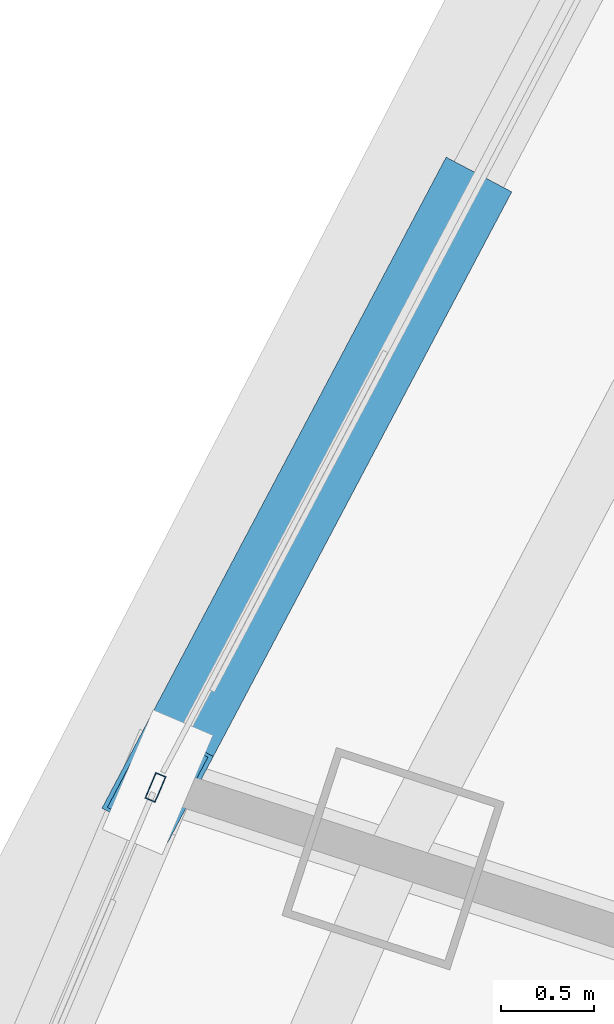
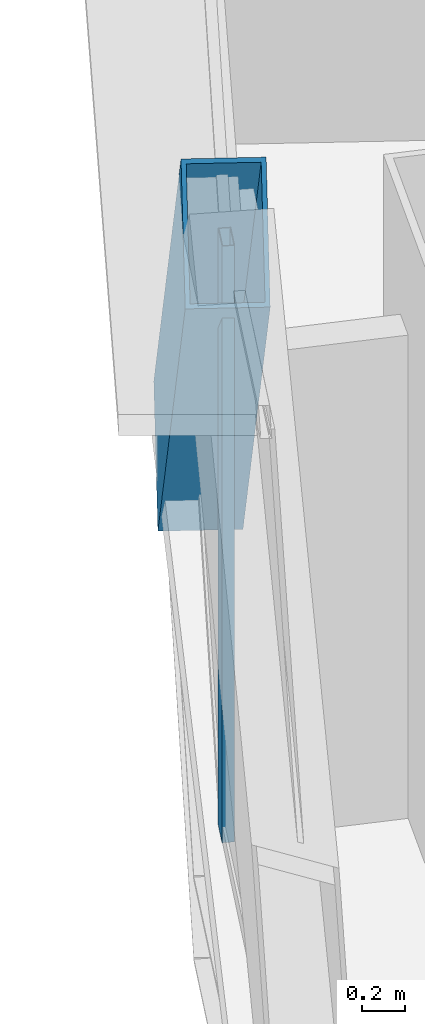
# One storey, part 8 of 41: 2 members, 1 element without a shape of its own.
"""IFC4 building model written with IfcOpenShell, lengths in metres."""

import ifcopenshell
import ifcopenshell.guid

model = None  # the IFC model being written
_history = None  # IfcOwnerHistory: only IFC2X3 demands one
_inside = {}  # id of a spatial element -> (the spatial element, [elements in it])
_under = {}  # id of a project, library or spatial element -> (it, [spatial elements below it])
_declared = {}  # id of a project -> (the project, [libraries it declares])
_typed = {}  # id of a type object -> (the type object, [elements of that type])
_made_of = {}  # id of a material, layer set ... -> (it, [elements and type objects made of it])


def new_model(schema):
    """Start an empty IFC model of exactly this schema.

    Asked for "IFC4X3", IfcOpenShell would pick the latest addendum, in which some entities
    have other attributes; the version numbers below select the first issue.
    IFC2X3 requires an IfcOwnerHistory on every rooted entity: one is made here for all.
    """
    global model, _history
    if schema == "IFC4X3":
        model = ifcopenshell.file(schema_version=(4, 3, 0, 0))
    else:
        model = ifcopenshell.file(schema=schema)
    _inside.clear()
    _under.clear()
    _declared.clear()
    _typed.clear()
    _made_of.clear()
    _history = None
    if model.schema == "IFC2X3":
        org = make("IfcOrganization", Name="unknown")
        user = make(
            "IfcPersonAndOrganization",
            ThePerson=make("IfcPerson", FamilyName="unknown"),
            TheOrganization=org,
        )
        app = make(
            "IfcApplication",
            ApplicationDeveloper=org,
            Version="unknown",
            ApplicationFullName="unknown",
            ApplicationIdentifier="unknown",
        )
        _history = make(
            "IfcOwnerHistory",
            OwningUser=user,
            OwningApplication=app,
            ChangeAction="ADDED",
            CreationDate=0,
        )
    return model


def make(cls, **values):
    """One entity of the class cls with the attributes given. An attribute that is None is left unset."""
    return model.create_entity(
        cls, **{name: value for name, value in values.items() if value is not None}
    )


def rooted(cls, **values):
    """An entity with a GlobalId (a new one), such as an element, a storey or a relation."""
    return make(cls, GlobalId=ifcopenshell.guid.new(), OwnerHistory=_history, **values)


def si_unit(unit_type, name, prefix=None):
    """IfcSIUnit, for example si_unit("LENGTHUNIT", "METRE", prefix="MILLI")."""
    return make("IfcSIUnit", UnitType=unit_type, Prefix=prefix, Name=name)


def assignment(units):
    """IfcUnitAssignment: the units of a project."""
    return None if units is None else make("IfcUnitAssignment", Units=units)


def point(xyz):
    """IfcCartesianPoint."""
    return None if xyz is None else make("IfcCartesianPoint", Coordinates=xyz)


def direction(xyz):
    """IfcDirection."""
    return None if xyz is None else make("IfcDirection", DirectionRatios=xyz)


def frame(location, z_axis=None, x_axis=None):
    """IfcAxis2Placement3D, a coordinate frame: its origin and axes. An axis left out is left unset."""
    return make(
        "IfcAxis2Placement3D",
        Location=point(location),
        Axis=direction(z_axis),
        RefDirection=direction(x_axis),
    )


def frame_2d(location, x_axis=None):
    """IfcAxis2Placement2D, a coordinate frame in the plane: its origin and x axis."""
    return make(
        "IfcAxis2Placement2D", Location=point(location), RefDirection=direction(x_axis)
    )


def origin():
    """The frame at (0, 0, 0) with its axes left unset."""
    return frame((0.0, 0.0, 0.0))


def origin_2d():
    """The frame at (0, 0) in the plane with its x axis left unset."""
    return frame_2d((0.0, 0.0))


def place(relative_to, where):
    """IfcLocalPlacement: puts the frame where relative to a parent placement (None: the world)."""
    return make(
        "IfcLocalPlacement", PlacementRelTo=relative_to, RelativePlacement=where
    )


def context(
    kind, dimensions, precision=None, world=None, true_north=None, identifier=None
):
    """IfcGeometricRepresentationContext, for example the 3D "Model" context."""
    return make(
        "IfcGeometricRepresentationContext",
        ContextIdentifier=identifier,
        ContextType=kind,
        CoordinateSpaceDimension=dimensions,
        Precision=precision,
        WorldCoordinateSystem=world,
        TrueNorth=true_north,
    )


def subcontext(parent, identifier, kind, view, scale=None):
    """IfcGeometricRepresentationSubContext, for example "Body" below "Model"."""
    return make(
        "IfcGeometricRepresentationSubContext",
        ContextIdentifier=identifier,
        ContextType=kind,
        ParentContext=parent,
        TargetScale=scale,
        TargetView=view,
    )


def project(units=None, contexts=None):
    """IfcProject with its units and contexts."""
    return rooted(
        "IfcProject",
        Name="project",
        RepresentationContexts=contexts,
        UnitsInContext=assignment(units),
    )


def spatial(cls, under=None, at=None, **own):
    """A site, building, storey or space (cls), placed at a placement, below another one or the project."""
    s = rooted(cls, ObjectPlacement=at, **own)
    if under is not None:
        _under.setdefault(under.id(), (under, []))[1].append(s)
    return s


def profile(cls, at=None, kind="AREA", **sizes):
    """A parametric profile (cls). Its sizes go by their IFC names, for example OverallWidth=200.0."""
    return make(cls, ProfileType=kind, Position=at, **sizes)


def hollow_rectangle(**sizes):
    """IfcRectangleHollowProfileDef."""
    return profile("IfcRectangleHollowProfileDef", **sizes)


def extrude(swept, where, along, depth):
    """IfcExtrudedAreaSolid: the profile swept, set in the frame where, extruded along a direction by depth."""
    return make(
        "IfcExtrudedAreaSolid",
        SweptArea=swept,
        Position=where,
        ExtrudedDirection=direction(along),
        Depth=depth,
    )


def shape(context_of_items, identifier, shape_type, items):
    """IfcShapeRepresentation: the items that make up one representation, for example the "Body"."""
    return make(
        "IfcShapeRepresentation",
        ContextOfItems=context_of_items,
        RepresentationIdentifier=identifier,
        RepresentationType=shape_type,
        Items=items,
    )


def source(mapping_origin, context_of_items, identifier, shape_type, items):
    """IfcRepresentationMap: a shape defined once, which mapped items show again and again."""
    return make(
        "IfcRepresentationMap",
        MappingOrigin=mapping_origin,
        MappedRepresentation=shape(context_of_items, identifier, shape_type, items),
    )


def transform(
    local_origin,
    x_axis=None,
    y_axis=None,
    z_axis=None,
    scale=None,
    scale2=None,
    scale3=None,
    uniform=True,
):
    """IfcCartesianTransformationOperator3D, or its non-uniform kind. x_axis, y_axis, z_axis: its Axis1, 2, 3."""
    if uniform:
        return make(
            "IfcCartesianTransformationOperator3D",
            Axis1=direction(x_axis),
            Axis2=direction(y_axis),
            LocalOrigin=point(local_origin),
            Scale=scale,
            Axis3=direction(z_axis),
        )
    return make(
        "IfcCartesianTransformationOperator3DnonUniform",
        Axis1=direction(x_axis),
        Axis2=direction(y_axis),
        LocalOrigin=point(local_origin),
        Scale=scale,
        Axis3=direction(z_axis),
        Scale2=scale2,
        Scale3=scale3,
    )


def mapped(mapping_source, mapping_target):
    """IfcMappedItem: shows the shape of a source again, moved by a transform."""
    return make(
        "IfcMappedItem", MappingSource=mapping_source, MappingTarget=mapping_target
    )


def material(Name=None, Category=None):
    """IfcMaterial."""
    return make("IfcMaterial", Name=Name, Category=Category)


def layer(
    of_material, thickness, ventilated=None, Name=None, Category=None, Priority=None
):
    """IfcMaterialLayer: one layer of a wall or slab, of a material (None: an air gap)."""
    return make(
        "IfcMaterialLayer",
        Material=of_material,
        LayerThickness=thickness,
        IsVentilated=ventilated,
        Name=Name,
        Category=Category,
        Priority=Priority,
    )


def layer_set(layers, Name=None):
    """IfcMaterialLayerSet."""
    return make("IfcMaterialLayerSet", MaterialLayers=layers, LayerSetName=Name)


def material_profile(
    of_material, cross_section, Name=None, Category=None, Priority=None
):
    """IfcMaterialProfile: a cross section and its material."""
    return make(
        "IfcMaterialProfile",
        Name=Name,
        Material=of_material,
        Profile=cross_section,
        Priority=Priority,
        Category=Category,
    )


def profile_set(profiles, Name=None, composite=None):
    """IfcMaterialProfileSet."""
    return make(
        "IfcMaterialProfileSet",
        Name=Name,
        MaterialProfiles=profiles,
        CompositeProfile=composite,
    )


def made_of(thing, what):
    """Note that an element or type object is made of a material, layer set ...; save() writes the relation."""
    if what is not None:
        _made_of.setdefault(what.id(), (what, []))[1].append(thing)
    return thing


def type_object(cls, material=None, **own):
    """A type object (cls), such as IfcWallType, which elements share."""
    return made_of(rooted(cls, **own), material)


def element(
    cls,
    number,
    at=None,
    inside=None,
    cuts=None,
    type_object=None,
    material=None,
    context=None,
    identifier="Body",
    shape_type=None,
    held_by="IfcProductDefinitionShape",
    body=None,
    shapes=None,
    **own,
):
    """One element of the class cls, such as IfcWall. Its Tag is "e" and its number.

    at: its placement. inside: the storey or other place that contains it. cuts: it is an
    opening in that element (IfcRelVoidsElement). A single representation is given by context,
    identifier, shape_type and body (its items); several are given by shapes. held_by: the class
    of the entity that holds the representations. save() writes the other relations.
    """
    e = rooted(cls, Tag="e%d" % number, ObjectPlacement=at, **own)
    if body is not None:
        shapes = [shape(context, identifier, shape_type, body)]
    if shapes is not None:
        e.Representation = make(held_by, Representations=shapes)
    if inside is not None:
        _inside.setdefault(inside.id(), (inside, []))[1].append(e)
    if cuts is not None:
        rooted(
            "IfcRelVoidsElement", RelatingBuildingElement=cuts, RelatedOpeningElement=e
        )
    if type_object is not None:
        _typed.setdefault(type_object.id(), (type_object, []))[1].append(e)
    return made_of(e, material)


def aggregate(whole, parts):
    """IfcRelAggregates: a whole, such as a stair, and the parts it consists of."""
    return rooted("IfcRelAggregates", RelatingObject=whole, RelatedObjects=parts)


def save(model, path):
    """Write the relations noted so far, then the file.

    IfcRelAggregates (storeys below a building ...), IfcRelContainedInSpatialStructure (elements
    in a storey), IfcRelDefinesByType, IfcRelAssociatesMaterial and IfcRelDeclares: one each for
    every whole, place, type object, material and project.
    """
    for whole, parts in _under.values():
        aggregate(whole, parts)
    for where, things in _inside.values():
        rooted(
            "IfcRelContainedInSpatialStructure",
            RelatedElements=things,
            RelatingStructure=where,
        )
    for kind, things in _typed.values():
        rooted("IfcRelDefinesByType", RelatedObjects=things, RelatingType=kind)
    for what, things in _made_of.values():
        rooted("IfcRelAssociatesMaterial", RelatedObjects=things, RelatingMaterial=what)
    for by, libraries in _declared.values():
        rooted("IfcRelDeclares", RelatingContext=by, RelatedDefinitions=libraries)
    model.write(path)


model = new_model("IFC4")

# Units and contexts
model_context = context("Model", 3, precision=1e-05, world=origin(), true_north=direction((0.0, 1.0)))
body_context = subcontext(model_context, "Body", "Model", "MODEL_VIEW")
ifc_project = project(units=[si_unit("LENGTHUNIT", "METRE"), si_unit("AREAUNIT", "SQUARE_METRE"), si_unit("VOLUMEUNIT", "CUBIC_METRE"), si_unit("PLANEANGLEUNIT", "RADIAN"), si_unit("MASSUNIT", "GRAM", prefix="KILO"), si_unit("THERMODYNAMICTEMPERATUREUNIT", "KELVIN"), si_unit("POWERUNIT", "WATT")], contexts=[model_context])

# Site, building, storey
site_placement = place(None, origin())
site = spatial("IfcSite", under=ifc_project, at=site_placement, CompositionType="ELEMENT")
building_placement = place(site_placement, origin())
building = spatial("IfcBuilding", under=site, at=building_placement, Name="Yunzhuo Pagoda Commons", CompositionType="ELEMENT")
storey_placement = place(building_placement, frame((0.0, 0.0, 155.590087890625)))
storey = spatial("IfcBuildingStorey", under=building, at=storey_placement, Name="L39", CompositionType="ELEMENT", Elevation=155.590087890625)

# Member
ifc_material_1 = material(Name="Structural steel Q355B", Category="steel")
ifc_material_profile_1 = material_profile(ifc_material_1, hollow_rectangle(XDim=0.39990234375, YDim=0.719970703125, WallThickness=0.02392578125, at=origin_2d()), Name="Structural steel Q355B")
ifc_profile_set_1 = profile_set([ifc_material_profile_1], Name="Structural steel Q355B")
member_type_1 = type_object("IfcMemberType", Name="M-DL2 Brace BOX 720x400x24", PredefinedType="BRACE", material=ifc_profile_set_1)
shared_shape_1 = source(origin(), body_context, "Body", "SweptSolid", [
    extrude(hollow_rectangle(XDim=0.39990234375, YDim=0.719970703125, WallThickness=0.02392578125, at=origin_2d()), origin(), (0.0, 0.0, 1.0), 5.0361328125),
])
member_1_placement = place(storey_placement, frame((18.424072265625, 46.871337890625, -0.260009765625), z_axis=(-0.319078548014, -0.603544199753, 0.73070053999), x_axis=(0.884057218692, -0.467378683809, 0.0)))
element("IfcMember", 1, at=member_1_placement, inside=storey, type_object=member_type_1, Name="L39 facade diamond brace F3.2R", PredefinedType="BRACE", context=body_context, shape_type="MappedRepresentation", body=[
    mapped(shared_shape_1, transform((0.0, 0.0, 0.0), scale=1.0)),
])

# Curtain wall, member
ifc_material_2 = material(Name="Anodized aluminium 6063-T6", Category="aluminium")
ifc_layer = layer(ifc_material_2, 0.14990234375)
ifc_layer_set = layer_set([ifc_layer], Name="Anodized aluminium 6063-T6")
curtain_wall_type = type_object("IfcCurtainWallType", Name="CW-MID Mid-Zone Ribbon Curtain Wall", PredefinedType="NOTDEFINED", material=ifc_layer_set)
curtain_wall_placement = place(storey_placement, origin())
curtain_wall = element("IfcCurtainWall", 2, at=curtain_wall_placement, inside=storey, type_object=curtain_wall_type, Name="L39 curtain wall CW-L39-F3B4", PredefinedType="NOTDEFINED")
ifc_material_profile_2 = material_profile(ifc_material_2, hollow_rectangle(XDim=0.06005859375, YDim=0.14990234375, WallThickness=0.00390625, at=origin_2d()), Name="Anodized aluminium 6063-T6")
ifc_profile_set_2 = profile_set([ifc_material_profile_2], Name="Anodized aluminium 6063-T6")
member_type_2 = type_object("IfcMemberType", Name="CW-MID-M Mullion RHS 150x60x4", PredefinedType="MULLION", material=ifc_profile_set_2)
shared_shape_2 = source(origin(), body_context, "Body", "SweptSolid", [
    extrude(hollow_rectangle(XDim=0.06005859375, YDim=0.14990234375, WallThickness=0.00390625, at=origin_2d()), origin(), (0.0, 0.0, 1.0), 3.419921875),
])
member_2_placement = place(storey_placement, frame((16.805419921875, 43.80419921875, 0.0), z_axis=(0.0, 0.0, 1.0), x_axis=(0.92021678471, -0.391409081572, 0.0)))
member_2 = element("IfcMember", 3, at=member_2_placement, type_object=member_type_2, Name="CW mullion 1", PredefinedType="MULLION", context=body_context, shape_type="MappedRepresentation", body=[
    mapped(shared_shape_2, transform((0.0, 0.0, 0.0), scale=1.0)),
])
aggregate(curtain_wall, [member_2])

save(model, "model.ifc")
